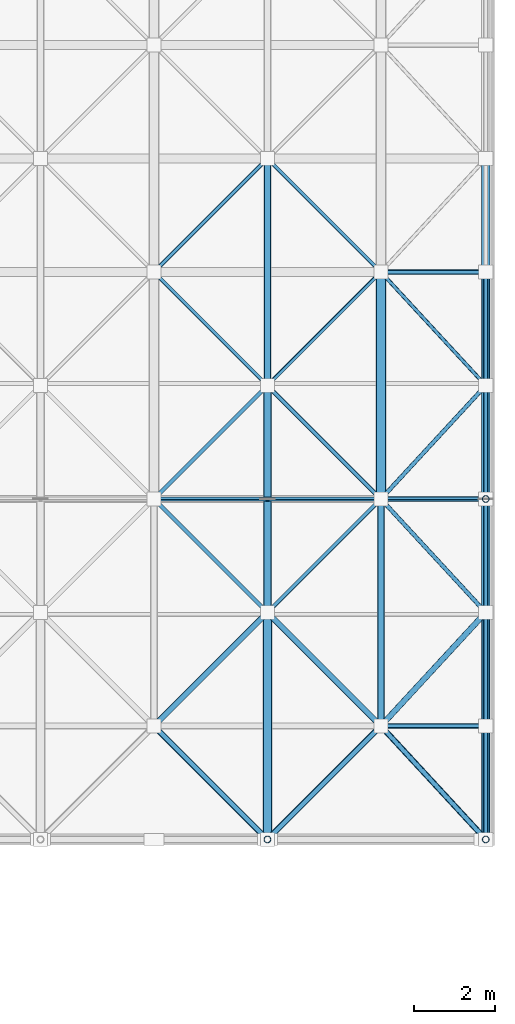
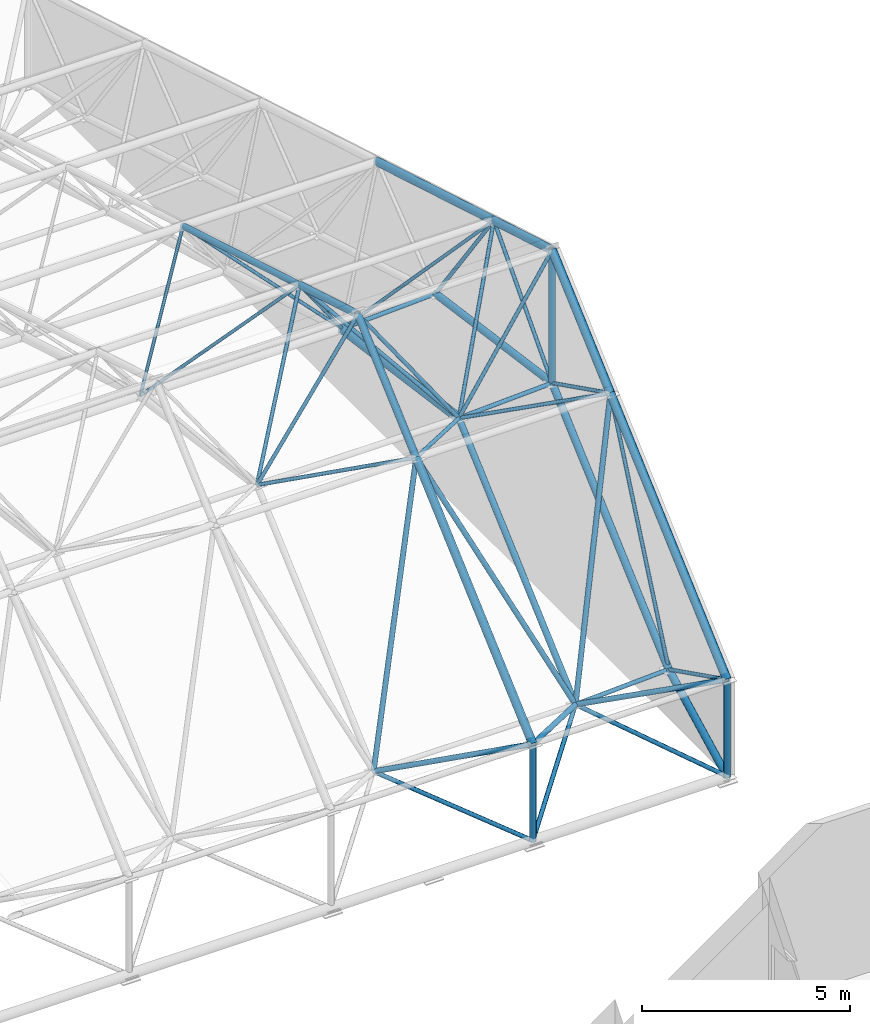
# One storey, part 38 of 100: 47 members.
"""IFC4 building model written with IfcOpenShell, lengths in metres."""

from ifc_helpers import new_model, si_unit, direction, frame, origin, origin_2d, place, context, subcontext, project, spatial, hollow_circle, extrude, material, material_profile, profile_set, type_object, element, save


model = new_model("IFC4")

# Units and contexts
model_context = context("Model", 3, precision=1e-05, world=origin(), true_north=direction((0.0, 1.0)))
body_context = subcontext(model_context, "Body", "Model", "MODEL_VIEW")
ifc_project = project(units=[si_unit("LENGTHUNIT", "METRE"), si_unit("AREAUNIT", "SQUARE_METRE"), si_unit("VOLUMEUNIT", "CUBIC_METRE"), si_unit("PLANEANGLEUNIT", "RADIAN"), si_unit("MASSUNIT", "GRAM", prefix="KILO")], contexts=[model_context])

# Site, building, storey
site_placement = place(None, origin())
site = spatial("IfcSite", under=ifc_project, at=site_placement, CompositionType="ELEMENT")
building_placement = place(site_placement, origin())
building = spatial("IfcBuilding", under=site, at=building_placement, Name="Kiln Court Media Centre", CompositionType="ELEMENT")
storey_placement = place(building_placement, frame((0.0, 0.0, 15.0)))
storey = spatial("IfcBuildingStorey", under=building, at=storey_placement, Name="L03", CompositionType="ELEMENT", Elevation=15.0)

# Members
ifc_material_1 = material(Name="Steel ASTM A500 Gr C", Category="steel")
ifc_material_profile_1 = material_profile(ifc_material_1, hollow_circle(Radius=0.05078125, WallThickness=0.0048828125, at=origin_2d()), Name="CHS 101.6x5.0")
ifc_profile_set_1 = profile_set([ifc_material_profile_1], Name="Steel ASTM A500 Gr C")
member_type_1 = type_object("IfcMemberType", Name="Steel ASTM A500 Gr C CHS 101.6x5.0 space frame brace", PredefinedType="BRACE", material=ifc_profile_set_1)
member_1_placement = place(storey_placement, frame((159.60009765625, 42.0, 6.478271484375), z_axis=(0.660014950047, -0.660072502799, 0.358726297841), x_axis=(0.70713760873, 0.707075952299, 0.0)))
element("IfcMember", 1, at=member_1_placement, inside=storey, type_object=member_type_1, Name="V2 roof diagonal 2-8 space frame brace", PredefinedType="BRACE", context=body_context, shape_type="SweptSolid", body=[
    extrude(hollow_circle(Radius=0.05078125, WallThickness=0.0048828125, at=origin_2d()), origin(), (0.0, 0.0, 1.0), 4.241943359375),
])
member_2_placement = place(storey_placement, frame((159.60009765625, 42.0, 6.478271484375), z_axis=(0.550724936959, 0.550772959713, 0.627177160506), x_axis=(-0.70713760873, 0.707075952299, 0.0)))
element("IfcMember", 2, at=member_2_placement, inside=storey, type_object=member_type_1, Name="V2 roof diagonal 2-8 space frame brace", PredefinedType="BRACE", context=body_context, shape_type="SweptSolid", body=[
    extrude(hollow_circle(Radius=0.05078125, WallThickness=0.0048828125, at=origin_2d()), origin(), (0.0, 0.0, 1.0), 5.083740234375),
])
member_3_placement = place(storey_placement, frame((159.60009765625, 42.0, 6.478271484375), z_axis=(0.571350561003, 0.0, 0.820706120631), x_axis=(0.0, 1.0, 0.0)))
element("IfcMember", 3, at=member_3_placement, inside=storey, type_object=member_type_1, Name="V2 roof ridge diagonal 2-8 space frame brace", PredefinedType="BRACE", context=body_context, shape_type="SweptSolid", body=[
    extrude(hollow_circle(Radius=0.05078125, WallThickness=0.0048828125, at=origin_2d()), origin(), (0.0, 0.0, 1.0), 4.900390625),
])
member_4_placement = place(storey_placement, frame((165.199951171875, 42.0, 6.478271484375), z_axis=(-0.660047429834, -0.660047429834, 0.358712671563), x_axis=(0.707106781187, -0.707106781187, 0.0)))
element("IfcMember", 4, at=member_4_placement, inside=storey, type_object=member_type_1, Name="V2 roof diagonal 2-9 space frame brace", PredefinedType="BRACE", context=body_context, shape_type="SweptSolid", body=[
    extrude(hollow_circle(Radius=0.05078125, WallThickness=0.0048828125, at=origin_2d()), origin(), (0.0, 0.0, 1.0), 4.2421875),
])
member_5_placement = place(storey_placement, frame((165.199951171875, 42.0, 6.478271484375), z_axis=(-0.550758393182, 0.550758393182, 0.627160573281), x_axis=(-0.707106781187, -0.707106781187, 0.0)))
element("IfcMember", 5, at=member_5_placement, inside=storey, type_object=member_type_1, Name="V2 roof diagonal 2-9 space frame brace", PredefinedType="BRACE", context=body_context, shape_type="SweptSolid", body=[
    extrude(hollow_circle(Radius=0.05078125, WallThickness=0.0048828125, at=origin_2d()), origin(), (0.0, 0.0, 1.0), 5.083984375),
])
member_6_placement = place(storey_placement, frame((165.199951171875, 42.0, 6.478271484375), z_axis=(0.630205807519, -0.682192582013, 0.370747786528), x_axis=(0.734540658712, 0.678564676873, 0.0)))
element("IfcMember", 6, at=member_6_placement, inside=storey, type_object=member_type_1, Name="V2 roof diagonal 2-9 space frame brace", PredefinedType="BRACE", context=body_context, shape_type="SweptSolid", body=[
    extrude(hollow_circle(Radius=0.05078125, WallThickness=0.0048828125, at=origin_2d()), origin(), (0.0, 0.0, 1.0), 4.1044921875),
])
member_7_placement = place(storey_placement, frame((165.199951171875, 42.0, 6.478271484375), z_axis=(0.520492363471, 0.563428684913, 0.641588510329), x_axis=(-0.734540658712, 0.678564676873, 0.0)))
element("IfcMember", 7, at=member_7_placement, inside=storey, type_object=member_type_1, Name="V2 roof diagonal 2-9 space frame brace", PredefinedType="BRACE", context=body_context, shape_type="SweptSolid", body=[
    extrude(hollow_circle(Radius=0.05078125, WallThickness=0.0048828125, at=origin_2d()), origin(), (0.0, 0.0, 1.0), 4.9697265625),
])
member_8_placement = place(storey_placement, frame((165.199951171875, 42.0, 6.478271484375), z_axis=(-0.571384117126, 0.0, 0.820682758864), x_axis=(0.0, -1.0, 0.0)))
element("IfcMember", 8, at=member_8_placement, inside=storey, type_object=member_type_1, Name="V2 roof ridge diagonal 2-9 space frame brace", PredefinedType="BRACE", context=body_context, shape_type="SweptSolid", body=[
    extrude(hollow_circle(Radius=0.05078125, WallThickness=0.0048828125, at=origin_2d()), origin(), (0.0, 0.0, 1.0), 4.900390625),
])
member_9_placement = place(storey_placement, frame((165.199951171875, 42.0, 6.478271484375), z_axis=(0.540945953091, 0.0, 0.841057355853), x_axis=(0.0, 1.0, 0.0)))
element("IfcMember", 9, at=member_9_placement, inside=storey, type_object=member_type_1, Name="V2 roof ridge diagonal 2-9 space frame brace", PredefinedType="BRACE", context=body_context, shape_type="SweptSolid", body=[
    extrude(hollow_circle(Radius=0.05078125, WallThickness=0.0048828125, at=origin_2d()), origin(), (0.0, 0.0, 1.0), 4.78173828125),
])
member_10_placement = place(storey_placement, frame((167.78662109375, 36.39990234375, 1.60302734375), z_axis=(0.0, -0.894801401829, 0.446464389716), x_axis=(1.0, 0.0, 0.0)))
element("IfcMember", 10, at=member_10_placement, inside=storey, type_object=member_type_1, Name="V2 roof gable diagonal east 1 space frame brace", PredefinedType="BRACE", context=body_context, shape_type="SweptSolid", body=[
    extrude(hollow_circle(Radius=0.05078125, WallThickness=0.0048828125, at=origin_2d()), origin(), (0.0, 0.0, 1.0), 3.12890625),
])
member_11_placement = place(storey_placement, frame((167.78662109375, 36.39990234375, 1.60302734375), z_axis=(0.0, 0.400983895948, 0.916085102592), x_axis=(-1.0, 0.0, 0.0)))
element("IfcMember", 11, at=member_11_placement, inside=storey, type_object=member_type_1, Name="V2 roof gable diagonal east 1 space frame brace", PredefinedType="BRACE", context=body_context, shape_type="SweptSolid", body=[
    extrude(hollow_circle(Radius=0.05078125, WallThickness=0.0048828125, at=origin_2d()), origin(), (0.0, 0.0, 1.0), 6.98291015625),
])
member_12_placement = place(storey_placement, frame((167.78662109375, 42.0, 6.60302734375), z_axis=(0.0, -0.894816953145, 0.446433220498), x_axis=(1.0, 0.0, 0.0)))
element("IfcMember", 12, at=member_12_placement, inside=storey, type_object=member_type_1, Name="V2 roof gable diagonal east 2 space frame brace", PredefinedType="BRACE", context=body_context, shape_type="SweptSolid", body=[
    extrude(hollow_circle(Radius=0.05078125, WallThickness=0.0048828125, at=origin_2d()), origin(), (0.0, 0.0, 1.0), 3.129150390625),
])
member_13_placement = place(storey_placement, frame((167.78662109375, 42.0, 6.60302734375), z_axis=(0.0, 0.674629128867, 0.738156852223), x_axis=(-1.0, 0.0, 0.0)))
element("IfcMember", 13, at=member_13_placement, inside=storey, type_object=member_type_1, Name="V2 roof gable diagonal east 2 space frame brace", PredefinedType="BRACE", context=body_context, shape_type="SweptSolid", body=[
    extrude(hollow_circle(Radius=0.05078125, WallThickness=0.0048828125, at=origin_2d()), origin(), (0.0, 0.0, 1.0), 4.150390625),
])
member_14_placement = place(storey_placement, frame((167.78662109375, 47.60009765625, 5.828125), z_axis=(0.0, -0.58931681958, 0.807902027575), x_axis=(1.0, 0.0, 0.0)))
element("IfcMember", 14, at=member_14_placement, inside=storey, type_object=member_type_1, Name="V2 roof gable diagonal east 3 space frame brace", PredefinedType="BRACE", context=body_context, shape_type="SweptSolid", body=[
    extrude(hollow_circle(Radius=0.05078125, WallThickness=0.0048828125, at=origin_2d()), origin(), (0.0, 0.0, 1.0), 4.75146484375),
])
ifc_material_2 = material(Name="Steel ASTM A500 Gr C", Category="steel")
ifc_material_profile_2 = material_profile(ifc_material_2, hollow_circle(Radius=0.05712890625, WallThickness=0.0048828125, at=origin_2d()), Name="CHS 114.3x5.0")
ifc_profile_set_2 = profile_set([ifc_material_profile_2], Name="Steel ASTM A500 Gr C")
member_type_2 = type_object("IfcMemberType", Name="Steel ASTM A500 Gr C CHS 114.3x5.0 space frame brace", PredefinedType="BRACE", material=ifc_profile_set_2)
for number, where, z_axis, x_axis, name in (
    (15, (162.39990234375, 33.60009765625, 0.16455078125), (-0.671130936008, 0.671130936008, 0.314907182304), (-0.707106781187, -0.707106781187, 0.0), "V2 roof bearing tie first 9 space frame brace"),
    (16, (162.39990234375, 33.60009765625, 0.16455078125), (0.671163096856, 0.671104577098, 0.314894814211), (-0.707075952299, 0.70713760873, 0.0), "V2 roof bearing tie first 9 space frame brace"),
):
    element("IfcMember", number, at=place(storey_placement, frame(where, z_axis=z_axis, x_axis=x_axis)), inside=storey, type_object=member_type_2, Name=name, PredefinedType="BRACE", context=body_context, shape_type="SweptSolid", body=[
        extrude(hollow_circle(Radius=0.05712890625, WallThickness=0.0048828125, at=origin_2d()), origin(), (0.0, 0.0, 1.0), 4.171875),
    ])
member_15_placement = place(storey_placement, frame((167.78662109375, 33.60009765625, 0.16455078125), z_axis=(-0.641562712418, 0.694425784428, 0.325837560691), x_axis=(-0.734511166766, -0.678596600269, 0.0)))
element("IfcMember", 17, at=member_15_placement, inside=storey, type_object=member_type_2, Name="V2 roof bearing tie first 10 space frame brace", PredefinedType="BRACE", context=body_context, shape_type="SweptSolid", body=[
    extrude(hollow_circle(Radius=0.05712890625, WallThickness=0.0048828125, at=origin_2d()), origin(), (0.0, 0.0, 1.0), 4.03173828125),
])
for number, where, z_axis, x_axis, name in (
    (18, (167.78662109375, 36.39990234375, 1.60302734375), (-0.998838944421, 0.0, -0.048174299254), (0.0, -1.0, 0.0), "V2 roof gable tie east 1 space frame brace"),
    (19, (167.78662109375, 42.0, 6.60302734375), (-0.998838944421, 0.0, -0.048174299254), (0.0, -1.0, 0.0), "V2 roof gable tie east 2 space frame brace"),
    (20, (167.78662109375, 47.60009765625, 5.828125), (-0.998838944421, 0.0, -0.048174299254), (0.0, -1.0, 0.0), "V2 roof gable tie east 3 space frame brace"),
):
    element("IfcMember", number, at=place(storey_placement, frame(where, z_axis=z_axis, x_axis=x_axis)), inside=storey, type_object=member_type_2, Name=name, PredefinedType="BRACE", context=body_context, shape_type="SweptSolid", body=[
        extrude(hollow_circle(Radius=0.05712890625, WallThickness=0.0048828125, at=origin_2d()), origin(), (0.0, 0.0, 1.0), 2.589599609375),
    ])
ifc_material_3 = material(Name="Steel ASTM A500 Gr C", Category="steel")
ifc_material_profile_3 = material_profile(ifc_material_3, hollow_circle(Radius=0.06982421875, WallThickness=0.0048828125, at=origin_2d()), Name="CHS 139.7x5.0")
ifc_profile_set_3 = profile_set([ifc_material_profile_3], Name="Steel ASTM A500 Gr C")
member_type_3 = type_object("IfcMemberType", Name="Steel ASTM A500 Gr C CHS 139.7x5.0 space frame brace", PredefinedType="BRACE", material=ifc_profile_set_3)
member_16_placement = place(storey_placement, frame((159.60009765625, 36.39990234375, 1.478271484375), z_axis=(0.660040023683, -0.660040023683, 0.358739925673), x_axis=(0.707106781187, 0.707106781187, 0.0)))
element("IfcMember", 21, at=member_16_placement, inside=storey, type_object=member_type_3, Name="V2 roof diagonal 1-8 space frame brace", PredefinedType="BRACE", context=body_context, shape_type="SweptSolid", body=[
    extrude(hollow_circle(Radius=0.06982421875, WallThickness=0.0048828125, at=origin_2d()), origin(), (0.0, 0.0, 1.0), 4.241943359375),
])
member_17_placement = place(storey_placement, frame((159.60009765625, 36.39990234375, 1.478271484375), z_axis=(0.366961936362, 0.366993935136, 0.854783240848), x_axis=(-0.70713760873, 0.707075952299, 0.0)))
element("IfcMember", 22, at=member_17_placement, inside=storey, type_object=member_type_3, Name="V2 roof diagonal 1-8 space frame brace", PredefinedType="BRACE", context=body_context, shape_type="SweptSolid", body=[
    extrude(hollow_circle(Radius=0.06982421875, WallThickness=0.0048828125, at=origin_2d()), origin(), (0.0, 0.0, 1.0), 7.629638671875),
])
member_18_placement = place(storey_placement, frame((165.199951171875, 36.39990234375, 1.478271484375), z_axis=(-0.660072502799, -0.660014950047, 0.358726297841), x_axis=(0.707075952299, -0.70713760873, 0.0)))
element("IfcMember", 23, at=member_18_placement, inside=storey, type_object=member_type_3, Name="V2 roof diagonal 1-9 space frame brace", PredefinedType="BRACE", context=body_context, shape_type="SweptSolid", body=[
    extrude(hollow_circle(Radius=0.06982421875, WallThickness=0.0048828125, at=origin_2d()), origin(), (0.0, 0.0, 1.0), 4.241943359375),
])
member_19_placement = place(storey_placement, frame((165.199951171875, 36.39990234375, 1.478271484375), z_axis=(-0.366989625659, 0.366989625659, 0.854773203439), x_axis=(-0.707106781187, -0.707106781187, 0.0)))
element("IfcMember", 24, at=member_19_placement, inside=storey, type_object=member_type_3, Name="V2 roof diagonal 1-9 space frame brace", PredefinedType="BRACE", context=body_context, shape_type="SweptSolid", body=[
    extrude(hollow_circle(Radius=0.06982421875, WallThickness=0.0048828125, at=origin_2d()), origin(), (0.0, 0.0, 1.0), 7.6298828125),
])
member_20_placement = place(storey_placement, frame((165.199951171875, 36.39990234375, 1.478271484375), z_axis=(0.630231380322, -0.682160780513, 0.370762830915), x_axis=(0.734511166766, 0.678596600269, 0.0)))
element("IfcMember", 25, at=member_20_placement, inside=storey, type_object=member_type_3, Name="V2 roof diagonal 1-9 space frame brace", PredefinedType="BRACE", context=body_context, shape_type="SweptSolid", body=[
    extrude(hollow_circle(Radius=0.06982421875, WallThickness=0.0048828125, at=origin_2d()), origin(), (0.0, 0.0, 1.0), 4.104248046875),
])
member_21_placement = place(storey_placement, frame((165.199951171875, 36.39990234375, 1.478271484375), z_axis=(0.342420385958, 0.370667239882, 0.86333891176), x_axis=(-0.734540658712, 0.678564676873, 0.0)))
element("IfcMember", 26, at=member_21_placement, inside=storey, type_object=member_type_3, Name="V2 roof diagonal 1-9 space frame brace", PredefinedType="BRACE", context=body_context, shape_type="SweptSolid", body=[
    extrude(hollow_circle(Radius=0.06982421875, WallThickness=0.0048828125, at=origin_2d()), origin(), (0.0, 0.0, 1.0), 7.553955078125),
])
ifc_material_4 = material(Name="Steel ASTM A500 Gr C", Category="steel")
ifc_material_profile_4 = material_profile(ifc_material_4, hollow_circle(Radius=0.084228515625, WallThickness=0.00634765625, at=origin_2d()), Name="CHS 168.3x6.3")
ifc_profile_set_4 = profile_set([ifc_material_profile_4], Name="Steel ASTM A500 Gr C")
member_type_4 = type_object("IfcMemberType", Name="Steel ASTM A500 Gr C CHS 168.3x6.3 space frame chord", PredefinedType="CHORD", material=ifc_profile_set_4)
member_22_placement = place(storey_placement, frame((162.39990234375, 44.800048828125, 9.666748046875), z_axis=(0.0, 0.958446230045, -0.285273244649), x_axis=(-1.0, 0.0, 0.0)))
element("IfcMember", 27, at=member_22_placement, inside=storey, type_object=member_type_4, Name="V2 roof top chord across line 9 space frame chord", PredefinedType="CHORD", context=body_context, shape_type="SweptSolid", body=[
    extrude(hollow_circle(Radius=0.084228515625, WallThickness=0.00634765625, at=origin_2d()), origin(), (0.0, 0.0, 1.0), 5.842529296875),
])
member_23_placement = place(storey_placement, frame((165.199951171875, 36.39990234375, 1.478271484375), z_axis=(0.0, 0.745943431645, 0.666009306831), x_axis=(-1.0, 0.0, 0.0)))
element("IfcMember", 28, at=member_23_placement, inside=storey, type_object=member_type_4, Name="V2 roof bottom chord across line 9 space frame chord", PredefinedType="CHORD", context=body_context, shape_type="SweptSolid", body=[
    extrude(hollow_circle(Radius=0.084228515625, WallThickness=0.00634765625, at=origin_2d()), origin(), (0.0, 0.0, 1.0), 7.50732421875),
])
ifc_material_5 = material(Name="Steel ASTM A500 Gr C", Category="steel")
ifc_material_profile_5 = material_profile(ifc_material_5, hollow_circle(Radius=0.084228515625, WallThickness=0.00634765625, at=origin_2d()), Name="CHS 168.3x6.3")
ifc_profile_set_5 = profile_set([ifc_material_profile_5], Name="Steel ASTM A500 Gr C")
member_type_5 = type_object("IfcMemberType", Name="Steel ASTM A500 Gr C CHS 168.3x6.3 space frame strut", PredefinedType="STRUT", material=ifc_profile_set_5)
for number, where, z_axis, x_axis, name in (
    (29, (162.39990234375, 33.60009765625, 0.16455078125), (0.0, 0.0, 1.0), (1.0, 0.0, 0.0), "V2 roof bearing post first 9 space frame strut"),
    (30, (167.78662109375, 33.60009765625, 0.16455078125), (0.0, 0.0, 1.0), (1.0, 0.0, 0.0), "V2 roof bearing post first 10 space frame strut"),
):
    element("IfcMember", number, at=place(storey_placement, frame(where, z_axis=z_axis, x_axis=x_axis)), inside=storey, type_object=member_type_5, Name=name, PredefinedType="STRUT", context=body_context, shape_type="SweptSolid", body=[
        extrude(hollow_circle(Radius=0.084228515625, WallThickness=0.00634765625, at=origin_2d()), origin(), (0.0, 0.0, 1.0), 2.83544921875),
    ])
member_24_placement = place(storey_placement, frame((167.78662109375, 42.0, 6.60302734375), z_axis=(0.0, 0.0, 1.0), x_axis=(1.0, 0.0, 0.0)))
element("IfcMember", 31, at=member_24_placement, inside=storey, type_object=member_type_5, Name="V2 roof gable post east 2 space frame strut", PredefinedType="STRUT", context=body_context, shape_type="SweptSolid", body=[
    extrude(hollow_circle(Radius=0.084228515625, WallThickness=0.00634765625, at=origin_2d()), origin(), (0.0, 0.0, 1.0), 3.89697265625),
])
ifc_material_6 = material(Name="Steel ASTM A500 Gr C", Category="steel")
ifc_material_profile_6 = material_profile(ifc_material_6, hollow_circle(Radius=0.096923828125, WallThickness=0.008056640625, at=origin_2d()), Name="CHS 193.7x8.0")
ifc_profile_set_6 = profile_set([ifc_material_profile_6], Name="Steel ASTM A500 Gr C")
member_type_6 = type_object("IfcMemberType", Name="Steel ASTM A500 Gr C CHS 193.7x8.0 space frame chord", PredefinedType="CHORD", material=ifc_profile_set_6)
member_25_placement = place(storey_placement, frame((162.39990234375, 39.199951171875, 8.0), z_axis=(0.0, 0.745943431645, 0.666009306831), x_axis=(-1.0, 0.0, 0.0)))
element("IfcMember", 32, at=member_25_placement, inside=storey, type_object=member_type_6, Name="V2 roof top chord across line 9 space frame chord", PredefinedType="CHORD", context=body_context, shape_type="SweptSolid", body=[
    extrude(hollow_circle(Radius=0.096923828125, WallThickness=0.008056640625, at=origin_2d()), origin(), (0.0, 0.0, 1.0), 3.753662109375),
])
member_26_placement = place(storey_placement, frame((162.39990234375, 42.0, 10.5), z_axis=(0.0, 0.958461054013, -0.285223435116), x_axis=(-1.0, 0.0, 0.0)))
element("IfcMember", 33, at=member_26_placement, inside=storey, type_object=member_type_6, Name="V2 roof top chord across line 9 space frame chord", PredefinedType="CHORD", context=body_context, shape_type="SweptSolid", body=[
    extrude(hollow_circle(Radius=0.096923828125, WallThickness=0.008056640625, at=origin_2d()), origin(), (0.0, 0.0, 1.0), 2.92138671875),
])
member_27_placement = place(storey_placement, frame((167.78662109375, 33.60009765625, 0.16455078125), z_axis=(0.0, 0.88947159401, 0.456990463194), x_axis=(-1.0, 0.0, 0.0)))
element("IfcMember", 34, at=member_27_placement, inside=storey, type_object=member_type_6, Name="V2 roof gable bottom chord east space frame chord", PredefinedType="CHORD", context=body_context, shape_type="SweptSolid", body=[
    extrude(hollow_circle(Radius=0.096923828125, WallThickness=0.008056640625, at=origin_2d()), origin(), (0.0, 0.0, 1.0), 3.147705078125),
])
member_28_placement = place(storey_placement, frame((167.78662109375, 36.39990234375, 1.60302734375), z_axis=(0.0, 0.745943431645, 0.666009306831), x_axis=(-1.0, 0.0, 0.0)))
element("IfcMember", 35, at=member_28_placement, inside=storey, type_object=member_type_6, Name="V2 roof gable bottom chord east space frame chord", PredefinedType="CHORD", context=body_context, shape_type="SweptSolid", body=[
    extrude(hollow_circle(Radius=0.096923828125, WallThickness=0.008056640625, at=origin_2d()), origin(), (0.0, 0.0, 1.0), 7.50732421875),
])
member_29_placement = place(storey_placement, frame((167.78662109375, 42.0, 6.60302734375), z_axis=(0.0, 0.990561777326, -0.137067010255), x_axis=(-1.0, 0.0, 0.0)))
element("IfcMember", 36, at=member_29_placement, inside=storey, type_object=member_type_6, Name="V2 roof gable bottom chord east space frame chord", PredefinedType="CHORD", context=body_context, shape_type="SweptSolid", body=[
    extrude(hollow_circle(Radius=0.096923828125, WallThickness=0.008056640625, at=origin_2d()), origin(), (0.0, 0.0, 1.0), 5.653564453125),
])
ifc_material_7 = material(Name="Steel ASTM A500 Gr C", Category="steel")
ifc_material_profile_7 = material_profile(ifc_material_7, hollow_circle(Radius=0.109619140625, WallThickness=0.008056640625, at=origin_2d()), Name="CHS 219.1x8.0")
ifc_profile_set_7 = profile_set([ifc_material_profile_7], Name="Steel ASTM A500 Gr C")
member_type_7 = type_object("IfcMemberType", Name="Steel ASTM A500 Gr C CHS 219.1x8.0 space frame chord", PredefinedType="CHORD", material=ifc_profile_set_7)
for number, where, z_axis, x_axis, name in (
    (37, (162.39990234375, 33.60009765625, 3.0), (0.0, 0.745929006282, 0.666025463167), (-1.0, 0.0, 0.0), "V2 roof top chord across line 9 space frame chord"),
    (38, (167.78662109375, 33.60009765625, 3.0), (0.0, 0.745929006282, 0.666025463167), (-1.0, 0.0, 0.0), "V2 roof top chord across line 10 space frame chord"),
):
    element("IfcMember", number, at=place(storey_placement, frame(where, z_axis=z_axis, x_axis=x_axis)), inside=storey, type_object=member_type_7, Name=name, PredefinedType="CHORD", context=body_context, shape_type="SweptSolid", body=[
        extrude(hollow_circle(Radius=0.109619140625, WallThickness=0.008056640625, at=origin_2d()), origin(), (0.0, 0.0, 1.0), 7.50732421875),
    ])
member_30_placement = place(storey_placement, frame((167.78662109375, 39.199951171875, 8.0), z_axis=(0.0, 0.745943431645, 0.666009306831), x_axis=(-1.0, 0.0, 0.0)))
element("IfcMember", 39, at=member_30_placement, inside=storey, type_object=member_type_7, Name="V2 roof top chord across line 10 space frame chord", PredefinedType="CHORD", context=body_context, shape_type="SweptSolid", body=[
    extrude(hollow_circle(Radius=0.109619140625, WallThickness=0.008056640625, at=origin_2d()), origin(), (0.0, 0.0, 1.0), 3.753662109375),
])
member_31_placement = place(storey_placement, frame((167.78662109375, 42.0, 10.5), z_axis=(0.0, 0.958461054013, -0.285223435116), x_axis=(-1.0, 0.0, 0.0)))
element("IfcMember", 40, at=member_31_placement, inside=storey, type_object=member_type_7, Name="V2 roof top chord across line 10 space frame chord", PredefinedType="CHORD", context=body_context, shape_type="SweptSolid", body=[
    extrude(hollow_circle(Radius=0.109619140625, WallThickness=0.008056640625, at=origin_2d()), origin(), (0.0, 0.0, 1.0), 2.92138671875),
])
member_32_placement = place(storey_placement, frame((167.78662109375, 44.800048828125, 9.666748046875), z_axis=(0.0, 0.958446230045, -0.285273244649), x_axis=(-1.0, 0.0, 0.0)))
element("IfcMember", 41, at=member_32_placement, inside=storey, type_object=member_type_7, Name="V2 roof top chord across line 10 space frame chord", PredefinedType="CHORD", context=body_context, shape_type="SweptSolid", body=[
    extrude(hollow_circle(Radius=0.109619140625, WallThickness=0.008056640625, at=origin_2d()), origin(), (0.0, 0.0, 1.0), 5.842529296875),
])
ifc_material_8 = material(Name="Steel ASTM A500 Gr C", Category="steel")
ifc_material_profile_8 = material_profile(ifc_material_8, hollow_circle(Radius=0.122314453125, WallThickness=0.010009765625, at=origin_2d()), Name="CHS 244.5x10.0")
ifc_profile_set_8 = profile_set([ifc_material_profile_8], Name="Steel ASTM A500 Gr C")
member_type_8 = type_object("IfcMemberType", Name="Steel ASTM A500 Gr C CHS 244.5x10.0 space frame chord", PredefinedType="CHORD", material=ifc_profile_set_8)
member_33_placement = place(storey_placement, frame((165.199951171875, 42.0, 6.478271484375), z_axis=(0.0, 0.990561777326, -0.137067010255), x_axis=(-1.0, 0.0, 0.0)))
element("IfcMember", 42, at=member_33_placement, inside=storey, type_object=member_type_8, Name="V2 roof bottom chord across line 9 space frame chord", PredefinedType="CHORD", context=body_context, shape_type="SweptSolid", body=[
    extrude(hollow_circle(Radius=0.122314453125, WallThickness=0.010009765625, at=origin_2d()), origin(), (0.0, 0.0, 1.0), 5.653564453125),
])
ifc_material_9 = material(Name="Steel ASTM A500 Gr C", Category="steel")
ifc_material_profile_9 = material_profile(ifc_material_9, hollow_circle(Radius=0.04443359375, WallThickness=0.00390625, at=origin_2d()), Name="CHS 88.9x4.0")
ifc_profile_set_9 = profile_set([ifc_material_profile_9], Name="Steel ASTM A500 Gr C")
member_type_9 = type_object("IfcMemberType", Name="Steel ASTM A500 Gr C CHS 88.9x4.0 space frame brace", PredefinedType="BRACE", material=ifc_profile_set_9)
member_34_placement = place(storey_placement, frame((159.60009765625, 47.60009765625, 5.703369140625), z_axis=(0.499745639188, -0.499789216589, 0.707435534232), x_axis=(0.70713760873, 0.707075952299, 0.0)))
element("IfcMember", 43, at=member_34_placement, inside=storey, type_object=member_type_9, Name="V2 roof diagonal 3-8 space frame brace", PredefinedType="BRACE", context=body_context, shape_type="SweptSolid", body=[
    extrude(hollow_circle(Radius=0.04443359375, WallThickness=0.00390625, at=origin_2d()), origin(), (0.0, 0.0, 1.0), 5.6025390625),
])
member_35_placement = place(storey_placement, frame((159.60009765625, 47.60009765625, 5.703369140625), z_axis=(0.611662163023, 0.611662163023, 0.501735783707), x_axis=(-0.707106781187, 0.707106781187, 0.0)))
element("IfcMember", 44, at=member_35_placement, inside=storey, type_object=member_type_9, Name="V2 roof diagonal 3-8 space frame brace", PredefinedType="BRACE", context=body_context, shape_type="SweptSolid", body=[
    extrude(hollow_circle(Radius=0.04443359375, WallThickness=0.00390625, at=origin_2d()), origin(), (0.0, 0.0, 1.0), 4.577392578125),
])
member_36_placement = place(storey_placement, frame((165.199951171875, 47.60009765625, 5.703369140625), z_axis=(-0.499778332252, -0.499778332252, 0.707420127804), x_axis=(0.707106781187, -0.707106781187, 0.0)))
element("IfcMember", 45, at=member_36_placement, inside=storey, type_object=member_type_9, Name="V2 roof diagonal 3-9 space frame brace", PredefinedType="BRACE", context=body_context, shape_type="SweptSolid", body=[
    extrude(hollow_circle(Radius=0.04443359375, WallThickness=0.00390625, at=origin_2d()), origin(), (0.0, 0.0, 1.0), 5.6025390625),
])
member_37_placement = place(storey_placement, frame((165.199951171875, 47.60009765625, 5.703369140625), z_axis=(-0.611695543028, 0.611642208339, 0.501719415229), x_axis=(-0.707075952299, -0.70713760873, 0.0)))
element("IfcMember", 46, at=member_37_placement, inside=storey, type_object=member_type_9, Name="V2 roof diagonal 3-9 space frame brace", PredefinedType="BRACE", context=body_context, shape_type="SweptSolid", body=[
    extrude(hollow_circle(Radius=0.04443359375, WallThickness=0.00390625, at=origin_2d()), origin(), (0.0, 0.0, 1.0), 4.57763671875),
])
member_38_placement = place(storey_placement, frame((165.199951171875, 47.60009765625, 5.703369140625), z_axis=(0.470385211298, -0.509188106501, 0.720739360095), x_axis=(0.734540658712, 0.678564676873, 0.0)))
element("IfcMember", 47, at=member_38_placement, inside=storey, type_object=member_type_9, Name="V2 roof diagonal 3-9 space frame brace", PredefinedType="BRACE", context=body_context, shape_type="SweptSolid", body=[
    extrude(hollow_circle(Radius=0.04443359375, WallThickness=0.00390625, at=origin_2d()), origin(), (0.0, 0.0, 1.0), 5.4990234375),
])

save(model, "model.ifc")
